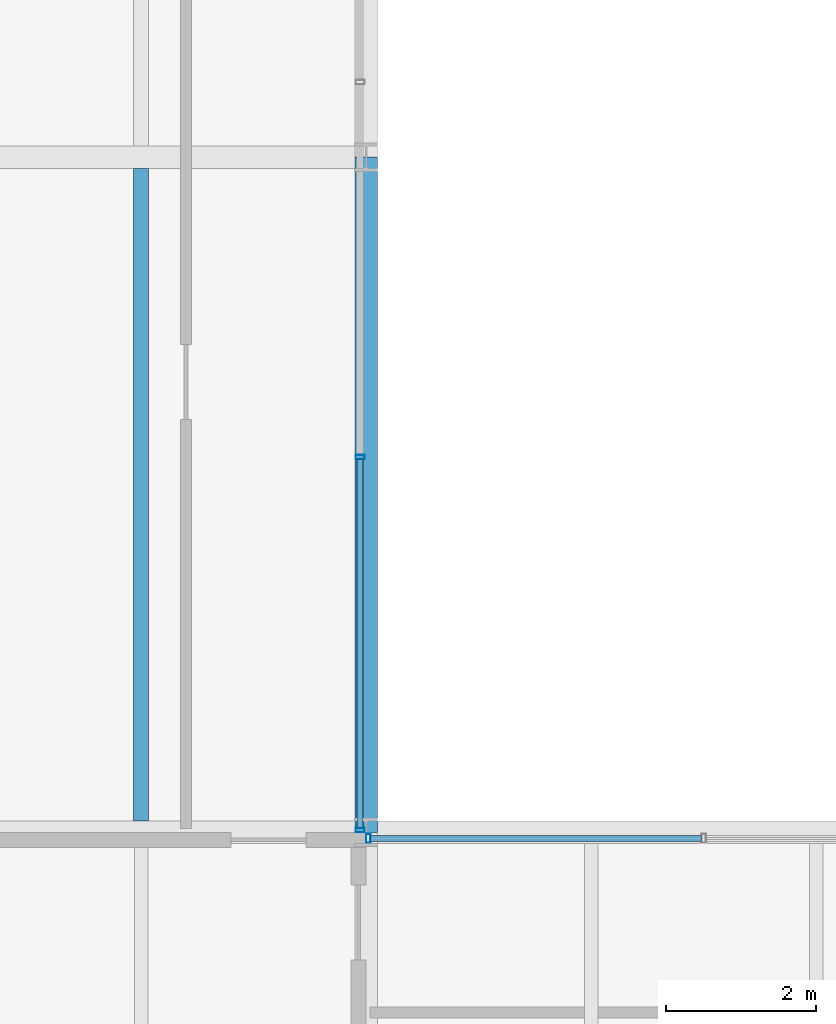
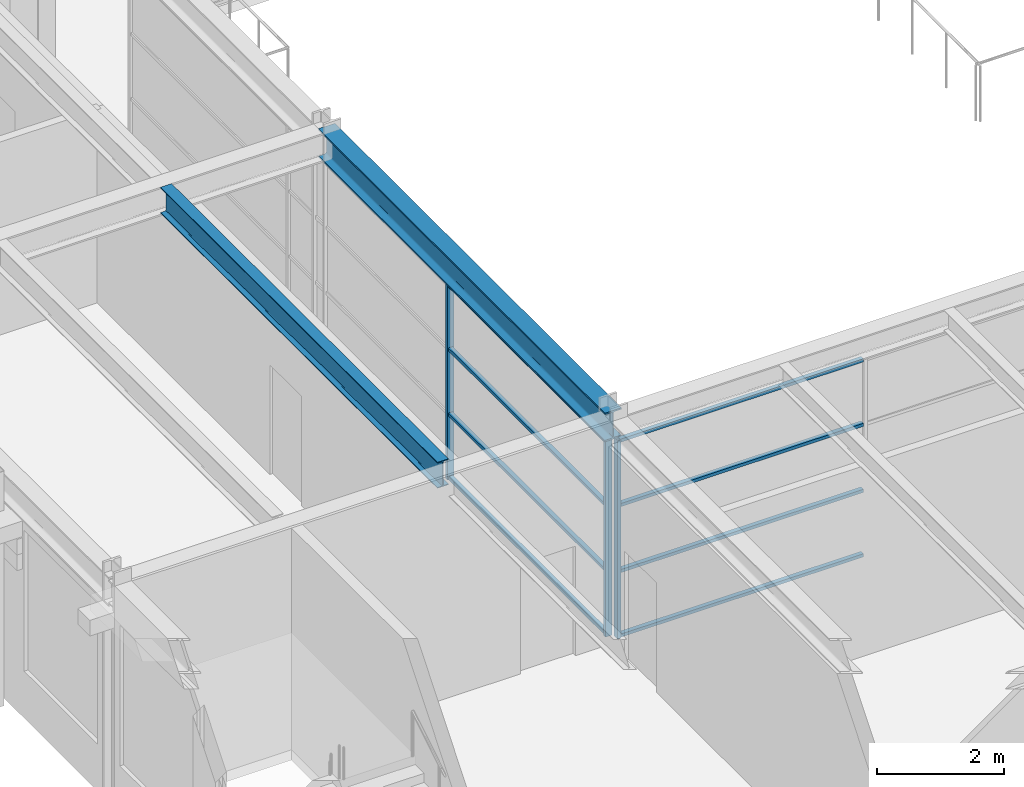
# One storey, part 34 of 153: 11 members, 2 beams, 2 elements without a shape of their own.
"""IFC4 building model written with IfcOpenShell, lengths in metres."""

from ifc_helpers import new_model, si_unit, direction, frame, origin, origin_2d, place, context, subcontext, project, spatial, hollow_rectangle, i_section, extrude, material, material_profile, profile_set, type_object, element, aggregate, save


model = new_model("IFC4")

# Units and contexts
model_context = context("Model", 3, precision=1e-05, world=origin(), true_north=direction((0.0, 1.0)))
body_context = subcontext(model_context, "Body", "Model", "MODEL_VIEW")
ifc_project = project(units=[si_unit("LENGTHUNIT", "METRE"), si_unit("AREAUNIT", "SQUARE_METRE"), si_unit("VOLUMEUNIT", "CUBIC_METRE"), si_unit("PLANEANGLEUNIT", "RADIAN"), si_unit("MASSUNIT", "GRAM", prefix="KILO")], contexts=[model_context])

# Site, building, storey
site_placement = place(None, origin())
site = spatial("IfcSite", under=ifc_project, at=site_placement, CompositionType="ELEMENT")
building_placement = place(site_placement, origin())
building = spatial("IfcBuilding", under=site, at=building_placement, Name="Kallimachos Central Library", CompositionType="ELEMENT")
storey_placement = place(building_placement, frame((0.0, 0.0, 5.39990234375)))
storey = spatial("IfcBuildingStorey", under=building, at=storey_placement, Name="L01", CompositionType="ELEMENT", Elevation=5.39990234375)

# Curtain wall, member
ifc_material_1 = material(Name="Aluminium and laminated glass", Category="aluminium")
curtain_wall_type = type_object("IfcCurtainWallType", Name="Atrium glazed screen", PredefinedType="NOTDEFINED", material=ifc_material_1)
curtain_wall_1_placement = place(storey_placement, origin())
curtain_wall_1 = element("IfcCurtainWall", 1, at=curtain_wall_1_placement, inside=storey, type_object=curtain_wall_type, Name="L01 atrium screen S", PredefinedType="NOTDEFINED")
ifc_material_2 = material(Name="Anodised aluminium", Category="aluminium")
ifc_material_profile_1 = material_profile(ifc_material_2, hollow_rectangle(XDim=0.06005859375, YDim=0.1201171875, WallThickness=0.00390625, at=origin_2d()), Name="ALU MULLION 60x120")
ifc_profile_set_1 = profile_set([ifc_material_profile_1], Name="Anodised aluminium")
member_type_1 = type_object("IfcMemberType", Name="Atrium screen mullion", PredefinedType="MULLION", material=ifc_profile_set_1)
member_1_placement = place(storey_placement, frame((74.530029296875, 56.919921875, 0.0), z_axis=(0.0, 0.0, 1.0), x_axis=(1.0, 0.0, 0.0)))
member_1 = element("IfcMember", 2, at=member_1_placement, type_object=member_type_1, Name="CW mullion 1", PredefinedType="MULLION", context=body_context, shape_type="SweptSolid", body=[
    extrude(hollow_rectangle(XDim=0.06005859375, YDim=0.1201171875, WallThickness=0.00390625, at=origin_2d()), origin(), (0.0, 0.0, 1.0), 3.800048828125),
])

# Curtain wall, members
curtain_wall_2_placement = place(storey_placement, origin())
curtain_wall_2 = element("IfcCurtainWall", 3, at=curtain_wall_2_placement, inside=storey, type_object=curtain_wall_type, Name="L01 atrium screen W", PredefinedType="NOTDEFINED")
member_2_placement = place(storey_placement, frame((74.419921875, 57.030029296875, 0.0), z_axis=(0.0, 0.0, 1.0), x_axis=(0.0, 1.0, 0.0)))
member_2 = element("IfcMember", 4, at=member_2_placement, type_object=member_type_1, Name="CW mullion 1", PredefinedType="MULLION", context=body_context, shape_type="SweptSolid", body=[
    extrude(hollow_rectangle(XDim=0.06005859375, YDim=0.1201171875, WallThickness=0.00390625, at=origin_2d()), origin(), (0.0, 0.0, 1.0), 3.75),
])
member_3_placement = place(storey_placement, frame((74.419921875, 62.0, 0.0), z_axis=(0.0, 0.0, 1.0), x_axis=(0.0, 1.0, 0.0)))
member_3 = element("IfcMember", 5, at=member_3_placement, type_object=member_type_1, Name="CW mullion 2", PredefinedType="MULLION", context=body_context, shape_type="SweptSolid", body=[
    extrude(hollow_rectangle(XDim=0.06005859375, YDim=0.1201171875, WallThickness=0.00390625, at=origin_2d()), origin(), (0.0, 0.0, 1.0), 3.75),
])

# Member
ifc_material_3 = material(Name="Anodised aluminium", Category="aluminium")
ifc_material_profile_2 = material_profile(ifc_material_3, hollow_rectangle(XDim=0.06005859375, YDim=0.080078125, WallThickness=0.00390625, at=origin_2d()), Name="ALU TRANSOM 60x80")
ifc_profile_set_2 = profile_set([ifc_material_profile_2], Name="Anodised aluminium")
member_type_2 = type_object("IfcMemberType", Name="Atrium screen transom", PredefinedType="USERDEFINED", material=ifc_profile_set_2)
member_4_placement = place(storey_placement, frame((74.56005859375, 56.919921875, 0.030029296875), z_axis=(1.0, 0.0, 0.0), x_axis=(0.0, 0.0, 1.0)))
member_4 = element("IfcMember", 6, at=member_4_placement, type_object=member_type_2, Name="CW transom 1.1", ObjectType="TRANSOM", PredefinedType="USERDEFINED", context=body_context, shape_type="SweptSolid", body=[
    extrude(hollow_rectangle(XDim=0.06005859375, YDim=0.080078125, WallThickness=0.00390625, at=origin_2d()), origin(), (0.0, 0.0, 1.0), 4.409912109375),
])

member_5_placement = place(storey_placement, frame((74.56005859375, 56.919921875, 1.266845703125), z_axis=(1.0, 0.0, 0.0), x_axis=(0.0, 0.0, 1.0)))
member_5 = element("IfcMember", 7, at=member_5_placement, type_object=member_type_2, Name="CW transom 1.2", ObjectType="TRANSOM", PredefinedType="USERDEFINED", context=body_context, shape_type="SweptSolid", body=[
    extrude(hollow_rectangle(XDim=0.06005859375, YDim=0.080078125, WallThickness=0.00390625, at=origin_2d()), origin(), (0.0, 0.0, 1.0), 4.409912109375),
])

member_6_placement = place(storey_placement, frame((74.56005859375, 56.919921875, 2.533447265625), z_axis=(1.0, 0.0, 0.0), x_axis=(0.0, 0.0, 1.0)))
member_6 = element("IfcMember", 8, at=member_6_placement, type_object=member_type_2, Name="CW transom 1.3", ObjectType="TRANSOM", PredefinedType="USERDEFINED", context=body_context, shape_type="SweptSolid", body=[
    extrude(hollow_rectangle(XDim=0.06005859375, YDim=0.080078125, WallThickness=0.00390625, at=origin_2d()), origin(), (0.0, 0.0, 1.0), 4.409912109375),
])

member_7_placement = place(storey_placement, frame((74.56005859375, 56.919921875, 3.77001953125), z_axis=(1.0, 0.0, 0.0), x_axis=(0.0, 0.0, 1.0)))
member_7 = element("IfcMember", 9, at=member_7_placement, type_object=member_type_2, Name="CW transom 1.4", ObjectType="TRANSOM", PredefinedType="USERDEFINED", context=body_context, shape_type="SweptSolid", body=[
    extrude(hollow_rectangle(XDim=0.06005859375, YDim=0.080078125, WallThickness=0.00390625, at=origin_2d()), origin(), (0.0, 0.0, 1.0), 4.409912109375),
])

aggregate(curtain_wall_1, [member_1, member_4, member_5, member_6, member_7])

member_8_placement = place(storey_placement, frame((74.419921875, 57.06005859375, 0.030029296875), z_axis=(0.0, 1.0, 0.0), x_axis=(0.0, 0.0, 1.0)))
member_8 = element("IfcMember", 10, at=member_8_placement, type_object=member_type_2, Name="CW transom 1.1", ObjectType="TRANSOM", PredefinedType="USERDEFINED", context=body_context, shape_type="SweptSolid", body=[
    extrude(hollow_rectangle(XDim=0.06005859375, YDim=0.080078125, WallThickness=0.00390625, at=origin_2d()), origin(), (0.0, 0.0, 1.0), 4.909912109375),
])

member_9_placement = place(storey_placement, frame((74.419921875, 57.06005859375, 1.25), z_axis=(0.0, 1.0, 0.0), x_axis=(0.0, 0.0, 1.0)))
member_9 = element("IfcMember", 11, at=member_9_placement, type_object=member_type_2, Name="CW transom 1.2", ObjectType="TRANSOM", PredefinedType="USERDEFINED", context=body_context, shape_type="SweptSolid", body=[
    extrude(hollow_rectangle(XDim=0.06005859375, YDim=0.080078125, WallThickness=0.00390625, at=origin_2d()), origin(), (0.0, 0.0, 1.0), 4.909912109375),
])

member_10_placement = place(storey_placement, frame((74.419921875, 57.06005859375, 2.5), z_axis=(0.0, 1.0, 0.0), x_axis=(0.0, 0.0, 1.0)))
member_10 = element("IfcMember", 12, at=member_10_placement, type_object=member_type_2, Name="CW transom 1.3", ObjectType="TRANSOM", PredefinedType="USERDEFINED", context=body_context, shape_type="SweptSolid", body=[
    extrude(hollow_rectangle(XDim=0.06005859375, YDim=0.080078125, WallThickness=0.00390625, at=origin_2d()), origin(), (0.0, 0.0, 1.0), 4.909912109375),
])

member_11_placement = place(storey_placement, frame((74.419921875, 57.06005859375, 3.72021484375), z_axis=(0.0, 1.0, 0.0), x_axis=(0.0, 0.0, 1.0)))
member_11 = element("IfcMember", 13, at=member_11_placement, type_object=member_type_2, Name="CW transom 1.4", ObjectType="TRANSOM", PredefinedType="USERDEFINED", context=body_context, shape_type="SweptSolid", body=[
    extrude(hollow_rectangle(XDim=0.06005859375, YDim=0.080078125, WallThickness=0.00390625, at=origin_2d()), origin(), (0.0, 0.0, 1.0), 4.909912109375),
])

aggregate(curtain_wall_2, [member_2, member_3, member_8, member_9, member_10, member_11])

# Beams
ifc_material_4 = material(Name="Steel S355J2", Category="steel")
ifc_material_profile_3 = material_profile(ifc_material_4, i_section(OverallWidth=0.300048828125, OverallDepth=0.550048828125, WebThickness=0.014892578125, FlangeThickness=0.029052734375, FilletRadius=0.027099609375, at=origin_2d()), Name="HEB 550")
ifc_profile_set_3 = profile_set([ifc_material_profile_3], Name="Steel S355J2")
beam_type_1 = type_object("IfcBeamType", Name="HEB 550 beam", PredefinedType="BEAM", material=ifc_profile_set_3)
beam_1_placement = place(storey_placement, frame((74.5, 57.0, 4.025146484375), z_axis=(0.0, 1.0, 0.0), x_axis=(-1.0, 0.0, 0.0)))
element("IfcBeam", 14, at=beam_1_placement, inside=storey, type_object=beam_type_1, Name="V4-BEM-L01-025", PredefinedType="BEAM", context=body_context, shape_type="SweptSolid", body=[
    extrude(i_section(OverallWidth=0.300048828125, OverallDepth=0.550048828125, WebThickness=0.014892578125, FlangeThickness=0.029052734375, FilletRadius=0.027099609375, at=origin_2d()), origin(), (0.0, 0.0, 1.0), 9.0),
])
ifc_material_5 = material(Name="Steel S355J2", Category="steel")
ifc_material_profile_4 = material_profile(ifc_material_5, i_section(OverallWidth=0.199951171875, OverallDepth=0.5, WebThickness=0.01025390625, FlangeThickness=0.01611328125, FilletRadius=0.02099609375, at=origin_2d()), Name="IPE 500")
ifc_profile_set_4 = profile_set([ifc_material_profile_4], Name="Steel S355J2")
beam_type_2 = type_object("IfcBeamType", Name="IPE 500 beam", PredefinedType="BEAM", material=ifc_profile_set_4)
beam_2_placement = place(storey_placement, frame((71.5, 57.14990234375, 4.050048828125), z_axis=(0.0, 1.0, 0.0), x_axis=(-1.0, 0.0, 0.0)))
element("IfcBeam", 15, at=beam_2_placement, inside=storey, type_object=beam_type_2, Name="V4-BEM-L01-028", PredefinedType="BEAM", context=body_context, shape_type="SweptSolid", body=[
    extrude(i_section(OverallWidth=0.199951171875, OverallDepth=0.5, WebThickness=0.01025390625, FlangeThickness=0.01611328125, FilletRadius=0.02099609375, at=origin_2d()), origin(), (0.0, 0.0, 1.0), 8.7001953125),
])

save(model, "model.ifc")
